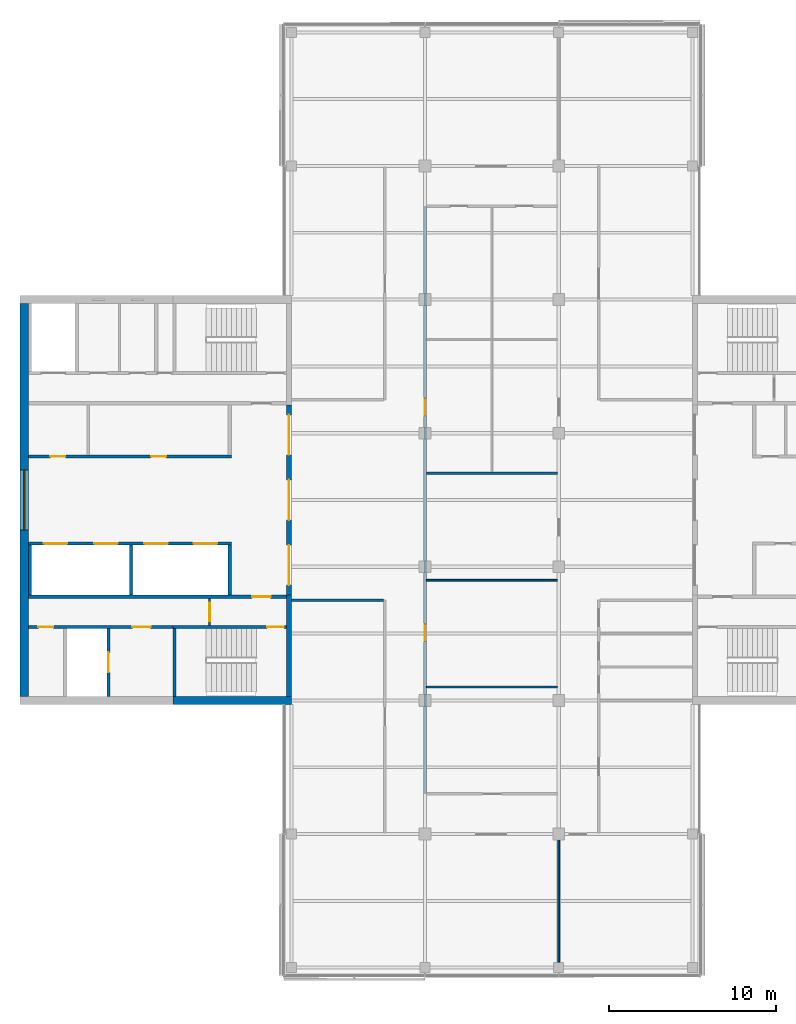
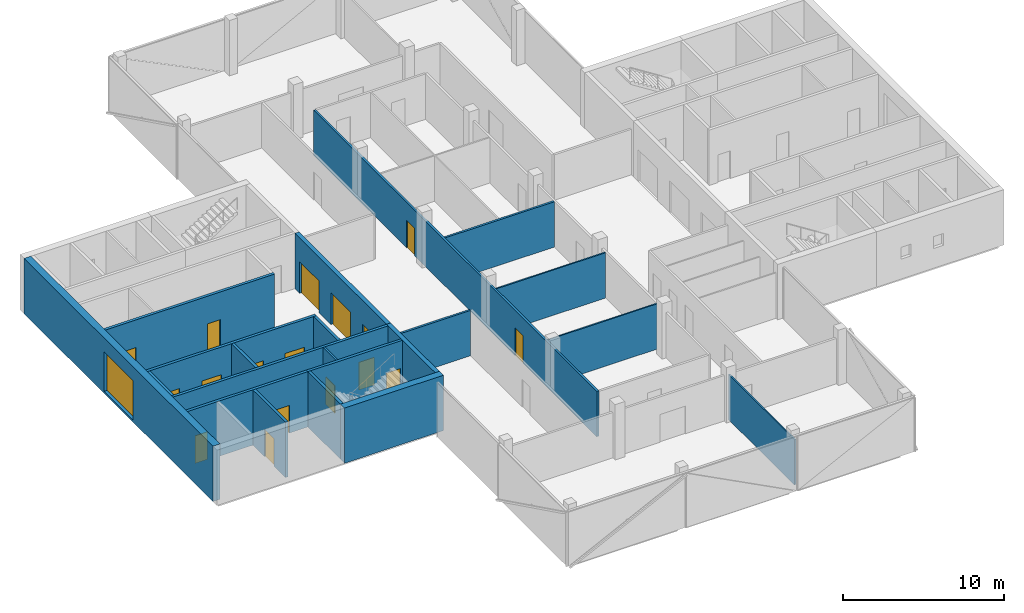
# One storey, part 9 of 15: 21 walls, 17 doors, 1 window, 18 openings.
"""IFC4 building model written with IfcOpenShell, lengths in metres."""

from ifc_helpers import new_model, si_unit, direction, frame, frame_2d, origin, place, context, subcontext, project, spatial, rectangle, extrude, material, layer, layer_set, constituent, constituent_set, type_object, element, fill, save


model = new_model("IFC4")

# Units and contexts
model_context = context("Model", 3, precision=1e-05, world=origin(), true_north=direction((0.0, 1.0)))
body_context = subcontext(model_context, "Body", "Model", "MODEL_VIEW")
ifc_project = project(units=[si_unit("LENGTHUNIT", "METRE"), si_unit("AREAUNIT", "SQUARE_METRE"), si_unit("VOLUMEUNIT", "CUBIC_METRE"), si_unit("PLANEANGLEUNIT", "RADIAN"), si_unit("MASSUNIT", "GRAM", prefix="KILO")], contexts=[model_context])

# Site, building, storey
site_placement = place(None, origin())
site = spatial("IfcSite", under=ifc_project, at=site_placement, CompositionType="ELEMENT")
building_placement = place(site_placement, origin())
building = spatial("IfcBuilding", under=site, at=building_placement, Name="Crosswind Convention Tower", CompositionType="ELEMENT")
storey_placement = place(building_placement, frame((0.0, 0.0, 266.10009765625)))
storey = spatial("IfcBuildingStorey", under=building, at=storey_placement, Name="L57", CompositionType="ELEMENT", Elevation=266.10009765625)

# Wall, openings, doors
ifc_material_1 = material(Name="Concrete C50/60", Category="concrete")
ifc_layer_1 = layer(ifc_material_1, 0.300048828125)
ifc_layer_set_1 = layer_set([ifc_layer_1], Name="Concrete C50/60")
wall_type_1 = type_object("IfcWallType", Name="Concrete inner core wall 300", PredefinedType="SHEAR", material=ifc_layer_set_1)
wall_1_placement = place(storey_placement, frame((112.85009765625, 105.699951171875, 0.0), z_axis=(0.0, 0.0, 1.0), x_axis=(0.0, -1.0, 0.0)))
wall_1 = element("IfcWall", 1, at=wall_1_placement, inside=storey, type_object=wall_type_1, Name="Wall SCR W L57", PredefinedType="SHEAR", context=body_context, shape_type="SweptSolid", body=[
    extrude(rectangle(XDim=11.39990234375, YDim=0.300048828125, at=frame_2d((5.699951171875, 0.0))), origin(), (0.0, 0.0, 1.0), 4.199951171875),
])
opening_1_placement = place(wall_1_placement, frame((0.60009765625, 0.0, 0.0)))
opening_1 = element("IfcOpeningElement", 2, at=opening_1_placement, cuts=wall_1, Name="Opening D100", PredefinedType="OPENING", context=body_context, shape_type="SweptSolid", body=[
    extrude(rectangle(XDim=2.39990234375, YDim=2.39990234375, at=frame_2d((1.199951171875, 1.199951171875))), frame((0.0, 0.159912109375, 0.0), z_axis=(0.0, -1.0, 0.0), x_axis=(1.0, 0.0, 0.0)), (0.0, 0.0, 1.0), 0.320068359375),
])
opening_2_placement = place(wall_1_placement, frame((4.5, 0.0, 0.0)))
opening_2 = element("IfcOpeningElement", 3, at=opening_2_placement, cuts=wall_1, Name="Opening D100", PredefinedType="OPENING", context=body_context, shape_type="SweptSolid", body=[
    extrude(rectangle(XDim=2.39990234375, YDim=2.39990234375, at=frame_2d((1.199951171875, 1.199951171875))), frame((0.0, 0.159912109375, 0.0), z_axis=(0.0, -1.0, 0.0), x_axis=(1.0, 0.0, 0.0)), (0.0, 0.0, 1.0), 0.320068359375),
])
opening_3_placement = place(wall_1_placement, frame((8.39990234375, 0.0, 0.0)))
opening_3 = element("IfcOpeningElement", 4, at=opening_3_placement, cuts=wall_1, Name="Opening D100", PredefinedType="OPENING", context=body_context, shape_type="SweptSolid", body=[
    extrude(rectangle(XDim=2.39990234375, YDim=2.39990234375, at=frame_2d((1.199951171875, 1.199951171875))), frame((0.0, 0.159912109375, 0.0), z_axis=(0.0, -1.0, 0.0), x_axis=(1.0, 0.0, 0.0)), (0.0, 0.0, 1.0), 0.320068359375),
])
ifc_material_2 = material(Name="Steel fire door with glazed vision panels", Category="steel")
door_type_1 = type_object("IfcDoorType", Name="Fire-rated double door 2400x2400", OperationType="DOUBLE_DOOR_SINGLE_SWING", PredefinedType="DOOR", material=ifc_material_2)
door_1_placement = place(opening_1_placement, origin())
door_1 = element("IfcDoor", 5, at=door_1_placement, inside=storey, type_object=door_type_1, Name="Lobby door 1 L57", ObjectType="D100", OperationType="DOUBLE_DOOR_SINGLE_SWING", OverallHeight=2.39990234375, OverallWidth=2.39990234375, PredefinedType="DOOR", context=body_context, shape_type="SweptSolid", body=[
    extrude(rectangle(XDim=2.39990234375, YDim=2.39990234375, at=frame_2d((1.199951171875, 1.199951171875))), frame((0.0, 0.02490234375, 0.0), z_axis=(0.0, -1.0, 0.0), x_axis=(1.0, 0.0, 0.0)), (0.0, 0.0, 1.0), 0.050048828125),
])
fill(opening_1, door_1)
door_2_placement = place(opening_2_placement, origin())
door_2 = element("IfcDoor", 6, at=door_2_placement, inside=storey, type_object=door_type_1, Name="Lobby door 2 L57", ObjectType="D100", OperationType="DOUBLE_DOOR_SINGLE_SWING", OverallHeight=2.39990234375, OverallWidth=2.39990234375, PredefinedType="DOOR", context=body_context, shape_type="SweptSolid", body=[
    extrude(rectangle(XDim=2.39990234375, YDim=2.39990234375, at=frame_2d((1.199951171875, 1.199951171875))), frame((0.0, 0.02490234375, 0.0), z_axis=(0.0, -1.0, 0.0), x_axis=(1.0, 0.0, 0.0)), (0.0, 0.0, 1.0), 0.050048828125),
])
fill(opening_2, door_2)
door_3_placement = place(opening_3_placement, origin())
door_3 = element("IfcDoor", 7, at=door_3_placement, inside=storey, type_object=door_type_1, Name="Lobby door 3 L57", ObjectType="D100", OperationType="DOUBLE_DOOR_SINGLE_SWING", OverallHeight=2.39990234375, OverallWidth=2.39990234375, PredefinedType="DOOR", context=body_context, shape_type="SweptSolid", body=[
    extrude(rectangle(XDim=2.39990234375, YDim=2.39990234375, at=frame_2d((1.199951171875, 1.199951171875))), frame((0.0, 0.02490234375, 0.0), z_axis=(0.0, -1.0, 0.0), x_axis=(1.0, 0.0, 0.0)), (0.0, 0.0, 1.0), 0.050048828125),
])
fill(opening_3, door_3)

# Walls
wall_2_placement = place(storey_placement, frame((112.85009765625, 94.300048828125, 0.0), z_axis=(0.0, 0.0, 1.0), x_axis=(0.0, -1.0, 0.0)))
element("IfcWall", 8, at=wall_2_placement, inside=storey, type_object=wall_type_1, Name="Wall EP W L57", PredefinedType="SHEAR", context=body_context, shape_type="SweptSolid", body=[
    extrude(rectangle(XDim=6.050048828125, YDim=0.300048828125, at=frame_2d((3.02490234375, 0.0))), origin(), (0.0, 0.0, 1.0), 4.199951171875),
])
ifc_layer_2 = layer(ifc_material_1, 0.199951171875)
ifc_layer_set_2 = layer_set([ifc_layer_2], Name="Concrete C50/60")
wall_type_2 = type_object("IfcWallType", Name="Concrete shaft and stair wall 200", PredefinedType="SHEAR", material=ifc_layer_set_2)
for number, where, z_axis, x_axis, name in (
    (9, (109.300048828125, 97.300048828125, 0.0), (0.0, 0.0, 1.0), (0.0, -1.0, 0.0), "Wall RPEND W L57"),
    (10, (103.39990234375, 97.300048828125, 0.0), (0.0, 0.0, 1.0), (0.0, -1.0, 0.0), "Wall RPSEP W L57"),
    (11, (97.35009765625, 97.300048828125, 0.0), (0.0, 0.0, 1.0), (0.0, -1.0, 0.0), "Wall RPEAST W L57"),
):
    element("IfcWall", number, at=place(storey_placement, frame(where, z_axis=z_axis, x_axis=x_axis)), inside=storey, type_object=wall_type_2, Name=name, PredefinedType="SHEAR", context=body_context, shape_type="SweptSolid", body=[
        extrude(rectangle(XDim=3.0, YDim=0.199951171875, at=frame_2d((1.5, 0.0))), origin(), (0.0, 0.0, 1.0), 4.199951171875),
    ])

# Wall, openings, doors
wall_3_placement = place(storey_placement, frame((109.39990234375, 97.39990234375, 0.0), z_axis=(0.0, 0.0, 1.0), x_axis=(-1.0, 0.0, 0.0)))
wall_3 = element("IfcWall", 12, at=wall_3_placement, inside=storey, type_object=wall_type_2, Name="Wall RPFRONT W L57", PredefinedType="SHEAR", context=body_context, shape_type="SweptSolid", body=[
    extrude(rectangle(XDim=12.14990234375, YDim=0.199951171875, at=frame_2d((6.074951171875, 0.0))), origin(), (0.0, 0.0, 1.0), 4.199951171875),
])
opening_4_placement = place(wall_3_placement, frame((0.85009765625, 0.0, 0.0)))
opening_4 = element("IfcOpeningElement", 13, at=opening_4_placement, cuts=wall_3, Name="Opening LD2", PredefinedType="OPENING", context=body_context, shape_type="SweptSolid", body=[
    extrude(rectangle(XDim=1.39990234375, YDim=2.10009765625, at=frame_2d((0.699951171875, 1.050048828125))), frame((0.0, 0.10986328125, 0.0), z_axis=(0.0, -1.0, 0.0), x_axis=(1.0, 0.0, 0.0)), (0.0, 0.0, 1.0), 0.219970703125),
])
opening_5_placement = place(wall_3_placement, frame((3.800048828125, 0.0, 0.0)))
opening_5 = element("IfcOpeningElement", 14, at=opening_5_placement, cuts=wall_3, Name="Opening LD2", PredefinedType="OPENING", context=body_context, shape_type="SweptSolid", body=[
    extrude(rectangle(XDim=1.39990234375, YDim=2.10009765625, at=frame_2d((0.699951171875, 1.050048828125))), frame((0.0, 0.10986328125, 0.0), z_axis=(0.0, -1.0, 0.0), x_axis=(1.0, 0.0, 0.0)), (0.0, 0.0, 1.0), 0.219970703125),
])
opening_6_placement = place(wall_3_placement, frame((6.800048828125, 0.0, 0.0)))
opening_6 = element("IfcOpeningElement", 15, at=opening_6_placement, cuts=wall_3, Name="Opening LD2", PredefinedType="OPENING", context=body_context, shape_type="SweptSolid", body=[
    extrude(rectangle(XDim=1.39990234375, YDim=2.10009765625, at=frame_2d((0.699951171875, 1.050048828125))), frame((0.0, 0.10986328125, 0.0), z_axis=(0.0, -1.0, 0.0), x_axis=(1.0, 0.0, 0.0)), (0.0, 0.0, 1.0), 0.219970703125),
])
opening_7_placement = place(wall_3_placement, frame((9.824951171875, 0.0, 0.0)))
opening_7 = element("IfcOpeningElement", 16, at=opening_7_placement, cuts=wall_3, Name="Opening LD2", PredefinedType="OPENING", context=body_context, shape_type="SweptSolid", body=[
    extrude(rectangle(XDim=1.39990234375, YDim=2.10009765625, at=frame_2d((0.699951171875, 1.050048828125))), frame((0.0, 0.10986328125, 0.0), z_axis=(0.0, -1.0, 0.0), x_axis=(1.0, 0.0, 0.0)), (0.0, 0.0, 1.0), 0.219970703125),
])
ifc_material_3 = material(Name="Stainless steel", Category="steel")
door_type_2 = type_object("IfcDoorType", Name="Lift landing door 1400x2100", OperationType="DOUBLE_DOOR_SLIDING", PredefinedType="DOOR", material=ifc_material_3)
door_4_placement = place(opening_4_placement, origin())
door_4 = element("IfcDoor", 17, at=door_4_placement, inside=storey, type_object=door_type_2, Name="Landing door HR1 L57", ObjectType="LD2", OperationType="DOUBLE_DOOR_SLIDING", OverallHeight=2.10009765625, OverallWidth=1.39990234375, PredefinedType="DOOR", context=body_context, shape_type="SweptSolid", body=[
    extrude(rectangle(XDim=1.39990234375, YDim=2.10009765625, at=frame_2d((0.699951171875, 1.050048828125))), frame((0.0, 0.02490234375, 0.0), z_axis=(0.0, -1.0, 0.0), x_axis=(1.0, 0.0, 0.0)), (0.0, 0.0, 1.0), 0.050048828125),
])
fill(opening_4, door_4)
door_5_placement = place(opening_5_placement, origin())
door_5 = element("IfcDoor", 18, at=door_5_placement, inside=storey, type_object=door_type_2, Name="Landing door HR2 L57", ObjectType="LD2", OperationType="DOUBLE_DOOR_SLIDING", OverallHeight=2.10009765625, OverallWidth=1.39990234375, PredefinedType="DOOR", context=body_context, shape_type="SweptSolid", body=[
    extrude(rectangle(XDim=1.39990234375, YDim=2.10009765625, at=frame_2d((0.699951171875, 1.050048828125))), frame((0.0, 0.02490234375, 0.0), z_axis=(0.0, -1.0, 0.0), x_axis=(1.0, 0.0, 0.0)), (0.0, 0.0, 1.0), 0.050048828125),
])
fill(opening_5, door_5)
door_6_placement = place(opening_6_placement, origin())
door_6 = element("IfcDoor", 19, at=door_6_placement, inside=storey, type_object=door_type_2, Name="Landing door HR3 L57", ObjectType="LD2", OperationType="DOUBLE_DOOR_SLIDING", OverallHeight=2.10009765625, OverallWidth=1.39990234375, PredefinedType="DOOR", context=body_context, shape_type="SweptSolid", body=[
    extrude(rectangle(XDim=1.39990234375, YDim=2.10009765625, at=frame_2d((0.699951171875, 1.050048828125))), frame((0.0, 0.02490234375, 0.0), z_axis=(0.0, -1.0, 0.0), x_axis=(1.0, 0.0, 0.0)), (0.0, 0.0, 1.0), 0.050048828125),
])
fill(opening_6, door_6)
door_7_placement = place(opening_7_placement, origin())
door_7 = element("IfcDoor", 20, at=door_7_placement, inside=storey, type_object=door_type_2, Name="Landing door HR4 L57", ObjectType="LD2", OperationType="DOUBLE_DOOR_SLIDING", OverallHeight=2.10009765625, OverallWidth=1.39990234375, PredefinedType="DOOR", context=body_context, shape_type="SweptSolid", body=[
    extrude(rectangle(XDim=1.39990234375, YDim=2.10009765625, at=frame_2d((0.699951171875, 1.050048828125))), frame((0.0, 0.02490234375, 0.0), z_axis=(0.0, -1.0, 0.0), x_axis=(1.0, 0.0, 0.0)), (0.0, 0.0, 1.0), 0.050048828125),
])
fill(opening_7, door_7)

wall_4_placement = place(storey_placement, frame((109.39990234375, 102.60009765625, 0.0), z_axis=(0.0, 0.0, 1.0), x_axis=(-1.0, 0.0, 0.0)))
wall_4 = element("IfcWall", 21, at=wall_4_placement, inside=storey, type_object=wall_type_2, Name="Wall RMFRONT W L57", PredefinedType="SHEAR", context=body_context, shape_type="SweptSolid", body=[
    extrude(rectangle(XDim=12.14990234375, YDim=0.199951171875, at=frame_2d((6.074951171875, 0.0))), origin(), (0.0, 0.0, 1.0), 4.199951171875),
])
opening_8_placement = place(wall_4_placement, frame((3.9013671875, 0.0, 0.0)))
opening_8 = element("IfcOpeningElement", 22, at=opening_8_placement, cuts=wall_4, Name="Opening D106", PredefinedType="OPENING", context=body_context, shape_type="SweptSolid", body=[
    extrude(rectangle(XDim=0.89990234375, YDim=2.10009765625, at=frame_2d((0.449951171875, 1.050048828125))), frame((0.0, 0.10986328125, 0.0), z_axis=(0.0, -1.0, 0.0), x_axis=(1.0, 0.0, 0.0)), (0.0, 0.0, 1.0), 0.219970703125),
])
opening_9_placement = place(wall_4_placement, frame((9.938720703125, 0.0, 0.0)))
opening_9 = element("IfcOpeningElement", 23, at=opening_9_placement, cuts=wall_4, Name="Opening D106", PredefinedType="OPENING", context=body_context, shape_type="SweptSolid", body=[
    extrude(rectangle(XDim=0.89990234375, YDim=2.10009765625, at=frame_2d((0.449951171875, 1.050048828125))), frame((0.0, 0.10986328125, 0.0), z_axis=(0.0, -1.0, 0.0), x_axis=(1.0, 0.0, 0.0)), (0.0, 0.0, 1.0), 0.219970703125),
])
ifc_material_4 = material(Name="Timber door", Category="wood")
door_type_3 = type_object("IfcDoorType", Name="Single leaf door 900x2100", OperationType="NOTDEFINED", PredefinedType="DOOR", material=ifc_material_4)
door_8_placement = place(opening_8_placement, frame((0.89990234375, 0.0, 0.0), z_axis=(0.0, 0.0, 1.0), x_axis=(-1.0, 0.0, 0.0)))
door_8 = element("IfcDoor", 24, at=door_8_placement, inside=storey, type_object=door_type_3, Name="Door to pantry L57", ObjectType="D106", OperationType="SINGLE_SWING_LEFT", OverallHeight=2.10009765625, OverallWidth=0.89990234375, PredefinedType="DOOR", context=body_context, shape_type="SweptSolid", body=[
    extrude(rectangle(XDim=0.89990234375, YDim=2.10009765625, at=frame_2d((0.449951171875, 1.050048828125))), frame((0.0, 0.02490234375, 0.0), z_axis=(0.0, -1.0, 0.0), x_axis=(1.0, 0.0, 0.0)), (0.0, 0.0, 1.0), 0.050048828125),
])
fill(opening_8, door_8)
door_9_placement = place(opening_9_placement, frame((0.89990234375, 0.0, 0.0), z_axis=(0.0, 0.0, 1.0), x_axis=(-1.0, 0.0, 0.0)))
door_9 = element("IfcDoor", 25, at=door_9_placement, inside=storey, type_object=door_type_3, Name="Door to telecoms room L57", ObjectType="D106", OperationType="SINGLE_SWING_LEFT", OverallHeight=2.10009765625, OverallWidth=0.89990234375, PredefinedType="DOOR", context=body_context, shape_type="SweptSolid", body=[
    extrude(rectangle(XDim=0.89990234375, YDim=2.10009765625, at=frame_2d((0.449951171875, 1.050048828125))), frame((0.0, 0.02490234375, 0.0), z_axis=(0.0, -1.0, 0.0), x_axis=(1.0, 0.0, 0.0)), (0.0, 0.0, 1.0), 0.050048828125),
])
fill(opening_9, door_9)

# Wall, opening, door
wall_5_placement = place(storey_placement, frame((112.699951171875, 94.199951171875, 0.0), z_axis=(0.0, 0.0, 1.0), x_axis=(-1.0, 0.0, 0.0)))
wall_5 = element("IfcWall", 26, at=wall_5_placement, inside=storey, type_object=wall_type_2, Name="Wall HP W L57", PredefinedType="SHEAR", context=body_context, shape_type="SweptSolid", body=[
    extrude(rectangle(XDim=15.449951171875, YDim=0.199951171875, at=frame_2d((7.72509765625, 0.0))), origin(), (0.0, 0.0, 1.0), 4.199951171875),
])
opening_10_placement = place(wall_5_placement, frame((0.949951171875, 0.0, 0.0)))
opening_10 = element("IfcOpeningElement", 27, at=opening_10_placement, cuts=wall_5, Name="Opening D104", PredefinedType="OPENING", context=body_context, shape_type="SweptSolid", body=[
    extrude(rectangle(XDim=1.10009765625, YDim=2.10009765625, at=frame_2d((0.550048828125, 1.050048828125))), frame((0.0, 0.10986328125, 0.0), z_axis=(0.0, -1.0, 0.0), x_axis=(1.0, 0.0, 0.0)), (0.0, 0.0, 1.0), 0.219970703125),
])
ifc_material_5 = material(Name="Steel fire door", Category="steel")
door_type_4 = type_object("IfcDoorType", Name="Fire-rated single door 1100x2100", OperationType="NOTDEFINED", PredefinedType="DOOR", material=ifc_material_5)
door_10_placement = place(opening_10_placement, origin())
door_10 = element("IfcDoor", 28, at=door_10_placement, inside=storey, type_object=door_type_4, Name="Corridor door L57", ObjectType="D104", OperationType="SINGLE_SWING_LEFT", OverallHeight=2.10009765625, OverallWidth=1.10009765625, PredefinedType="DOOR", context=body_context, shape_type="SweptSolid", body=[
    extrude(rectangle(XDim=1.10009765625, YDim=2.10009765625, at=frame_2d((0.550048828125, 1.050048828125))), frame((0.0, 0.02490234375, 0.0), z_axis=(0.0, -1.0, 0.0), x_axis=(1.0, 0.0, 0.0)), (0.0, 0.0, 1.0), 0.050048828125),
])
fill(opening_10, door_10)

# Wall
wall_6_placement = place(storey_placement, frame((106.0, 92.300048828125, 0.0), z_axis=(0.0, 0.0, 1.0), x_axis=(0.0, -1.0, 0.0)))
element("IfcWall", 29, at=wall_6_placement, inside=storey, type_object=wall_type_2, Name="Wall PSE W L57", PredefinedType="SHEAR", context=body_context, shape_type="SweptSolid", body=[
    extrude(rectangle(XDim=4.050048828125, YDim=0.199951171875, at=frame_2d((2.02490234375, 0.0))), origin(), (0.0, 0.0, 1.0), 4.199951171875),
])

# Wall, opening, door
wall_7_placement = place(storey_placement, frame((102.050048828125, 92.300048828125, 0.0), z_axis=(0.0, 0.0, 1.0), x_axis=(0.0, -1.0, 0.0)))
wall_7 = element("IfcWall", 30, at=wall_7_placement, inside=storey, type_object=wall_type_2, Name="Wall PFLW W L57", PredefinedType="SHEAR", context=body_context, shape_type="SweptSolid", body=[
    extrude(rectangle(XDim=4.050048828125, YDim=0.199951171875, at=frame_2d((2.02490234375, 0.0))), origin(), (0.0, 0.0, 1.0), 4.199951171875),
])
opening_11_placement = place(wall_7_placement, frame((1.425048828125, 0.0, 0.0)))
opening_11 = element("IfcOpeningElement", 31, at=opening_11_placement, cuts=wall_7, Name="Opening LD1", PredefinedType="OPENING", context=body_context, shape_type="SweptSolid", body=[
    extrude(rectangle(XDim=1.199951171875, YDim=2.10009765625, at=frame_2d((0.60009765625, 1.050048828125))), frame((0.0, 0.10986328125, 0.0), z_axis=(0.0, -1.0, 0.0), x_axis=(1.0, 0.0, 0.0)), (0.0, 0.0, 1.0), 0.219970703125),
])
door_type_5 = type_object("IfcDoorType", Name="Lift landing door 1200x2100", OperationType="DOUBLE_DOOR_SLIDING", PredefinedType="DOOR", material=ifc_material_3)
door_11_placement = place(opening_11_placement, origin())
door_11 = element("IfcDoor", 32, at=door_11_placement, inside=storey, type_object=door_type_5, Name="Landing door FF2 L57", ObjectType="LD1", OperationType="DOUBLE_DOOR_SLIDING", OverallHeight=2.10009765625, OverallWidth=1.199951171875, PredefinedType="DOOR", context=body_context, shape_type="SweptSolid", body=[
    extrude(rectangle(XDim=1.199951171875, YDim=2.10009765625, at=frame_2d((0.60009765625, 1.050048828125))), frame((0.0, 0.02490234375, 0.0), z_axis=(0.0, -1.0, 0.0), x_axis=(1.0, 0.0, 0.0)), (0.0, 0.0, 1.0), 0.050048828125),
])
fill(opening_11, door_11)

wall_8_placement = place(storey_placement, frame((112.699951171875, 92.39990234375, 0.0), z_axis=(0.0, 0.0, 1.0), x_axis=(-1.0, 0.0, 0.0)))
wall_8 = element("IfcWall", 33, at=wall_8_placement, inside=storey, type_object=wall_type_2, Name="Wall PCW W L57", PredefinedType="SHEAR", context=body_context, shape_type="SweptSolid", body=[
    extrude(rectangle(XDim=6.800048828125, YDim=0.199951171875, at=frame_2d((3.39990234375, 0.0))), origin(), (0.0, 0.0, 1.0), 4.199951171875),
])
opening_12_placement = place(wall_8_placement, frame((0.14990234375, 0.0, 0.0)))
opening_12 = element("IfcOpeningElement", 34, at=opening_12_placement, cuts=wall_8, Name="Opening D103", PredefinedType="OPENING", context=body_context, shape_type="SweptSolid", body=[
    extrude(rectangle(XDim=1.0, YDim=2.10009765625, at=frame_2d((0.5, 1.050048828125))), frame((0.0, 0.10986328125, 0.0), z_axis=(0.0, -1.0, 0.0), x_axis=(1.0, 0.0, 0.0)), (0.0, 0.0, 1.0), 0.219970703125),
])
door_type_6 = type_object("IfcDoorType", Name="Fire-rated single door 1000x2100", OperationType="NOTDEFINED", PredefinedType="DOOR", material=ifc_material_5)
door_12_placement = place(opening_12_placement, origin())
door_12 = element("IfcDoor", 35, at=door_12_placement, inside=storey, type_object=door_type_6, Name="Stair ST3 door L57", ObjectType="D103", OperationType="SINGLE_SWING_LEFT", OverallHeight=2.10009765625, OverallWidth=1.0, PredefinedType="DOOR", context=body_context, shape_type="SweptSolid", body=[
    extrude(rectangle(XDim=1.0, YDim=2.10009765625, at=frame_2d((0.5, 1.050048828125))), frame((0.0, 0.02490234375, 0.0), z_axis=(0.0, -1.0, 0.0), x_axis=(1.0, 0.0, 0.0)), (0.0, 0.0, 1.0), 0.050048828125),
])
fill(opening_12, door_12)

# Wall, openings, doors
wall_9_placement = place(storey_placement, frame((105.89990234375, 92.39990234375, 0.0), z_axis=(0.0, 0.0, 1.0), x_axis=(-1.0, 0.0, 0.0)))
wall_9 = element("IfcWall", 36, at=wall_9_placement, inside=storey, type_object=wall_type_2, Name="Wall PCX W L57", PredefinedType="SHEAR", context=body_context, shape_type="SweptSolid", body=[
    extrude(rectangle(XDim=8.64990234375, YDim=0.199951171875, at=frame_2d((4.324951171875, 0.0))), origin(), (0.0, 0.0, 1.0), 4.199951171875),
])
opening_13_placement = place(wall_9_placement, frame((1.324951171875, 0.0, 0.0)))
opening_13 = element("IfcOpeningElement", 37, at=opening_13_placement, cuts=wall_9, Name="Opening D104", PredefinedType="OPENING", context=body_context, shape_type="SweptSolid", body=[
    extrude(rectangle(XDim=1.10009765625, YDim=2.10009765625, at=frame_2d((0.550048828125, 1.050048828125))), frame((0.0, 0.10986328125, 0.0), z_axis=(0.0, -1.0, 0.0), x_axis=(1.0, 0.0, 0.0)), (0.0, 0.0, 1.0), 0.219970703125),
])
opening_14_placement = place(wall_9_placement, frame((7.14990234375, 0.0, 0.0)))
opening_14 = element("IfcOpeningElement", 38, at=opening_14_placement, cuts=wall_9, Name="Opening D106", PredefinedType="OPENING", context=body_context, shape_type="SweptSolid", body=[
    extrude(rectangle(XDim=0.89990234375, YDim=2.10009765625, at=frame_2d((0.449951171875, 1.050048828125))), frame((0.0, 0.10986328125, 0.0), z_axis=(0.0, -1.0, 0.0), x_axis=(1.0, 0.0, 0.0)), (0.0, 0.0, 1.0), 0.219970703125),
])
door_13_placement = place(opening_13_placement, origin())
door_13 = element("IfcDoor", 39, at=door_13_placement, inside=storey, type_object=door_type_4, Name="Fire-fighting lobby FF2 door L57", ObjectType="D104", OperationType="SINGLE_SWING_RIGHT", OverallHeight=2.10009765625, OverallWidth=1.10009765625, PredefinedType="DOOR", context=body_context, shape_type="SweptSolid", body=[
    extrude(rectangle(XDim=1.10009765625, YDim=2.10009765625, at=frame_2d((0.550048828125, 1.050048828125))), frame((0.0, 0.02490234375, 0.0), z_axis=(0.0, -1.0, 0.0), x_axis=(1.0, 0.0, 0.0)), (0.0, 0.0, 1.0), 0.050048828125),
])
fill(opening_13, door_13)
door_14_placement = place(opening_14_placement, origin())
door_14 = element("IfcDoor", 40, at=door_14_placement, inside=storey, type_object=door_type_3, Name="Door to cleaners' store L57", ObjectType="D106", OperationType="SINGLE_SWING_RIGHT", OverallHeight=2.10009765625, OverallWidth=0.89990234375, PredefinedType="DOOR", context=body_context, shape_type="SweptSolid", body=[
    extrude(rectangle(XDim=0.89990234375, YDim=2.10009765625, at=frame_2d((0.449951171875, 1.050048828125))), frame((0.0, 0.02490234375, 0.0), z_axis=(0.0, -1.0, 0.0), x_axis=(1.0, 0.0, 0.0)), (0.0, 0.0, 1.0), 0.050048828125),
])
fill(opening_14, door_14)

# Wall, opening, door
ifc_material_6 = material(Name="Gypsum plasterboard partition", Category="gypsum")
ifc_layer_3 = layer(ifc_material_6, 0.125)
ifc_layer_set_3 = layer_set([ifc_layer_3], Name="Drywall partition wall 125")
wall_type_3 = type_object("IfcWallType", Name="Drywall partition wall 125", PredefinedType="PARTITIONING", material=ifc_layer_set_3)
wall_10_placement = place(storey_placement, frame((108.10009765625, 94.10009765625, 0.0), z_axis=(0.0, 0.0, 1.0), x_axis=(0.0, -1.0, 0.0)))
wall_10 = element("IfcWall", 41, at=wall_10_placement, inside=storey, type_object=wall_type_3, Name="Wall PXC1 W L57", PredefinedType="PARTITIONING", context=body_context, shape_type="SweptSolid", body=[
    extrude(rectangle(XDim=1.60009765625, YDim=0.125, at=frame_2d((0.800048828125, 0.0))), origin(), (0.0, 0.0, 1.0), 4.199951171875),
])
opening_15_placement = place(wall_10_placement, frame((0.25, 0.0, 0.0)))
opening_15 = element("IfcOpeningElement", 42, at=opening_15_placement, cuts=wall_10, Name="Opening D104", PredefinedType="OPENING", context=body_context, shape_type="SweptSolid", body=[
    extrude(rectangle(XDim=1.10009765625, YDim=2.10009765625, at=frame_2d((0.550048828125, 1.050048828125))), frame((0.0, 0.072509765625, 0.0), z_axis=(0.0, -1.0, 0.0), x_axis=(1.0, 0.0, 0.0)), (0.0, 0.0, 1.0), 0.14501953125),
])
door_15_placement = place(opening_15_placement, origin())
door_15 = element("IfcDoor", 43, at=door_15_placement, inside=storey, type_object=door_type_4, Name="Corridor smoke door L57", ObjectType="D104", OperationType="SINGLE_SWING_RIGHT", OverallHeight=2.10009765625, OverallWidth=1.10009765625, PredefinedType="DOOR", context=body_context, shape_type="SweptSolid", body=[
    extrude(rectangle(XDim=1.10009765625, YDim=2.10009765625, at=frame_2d((0.550048828125, 1.050048828125))), frame((0.0, 0.02490234375, 0.0), z_axis=(0.0, -1.0, 0.0), x_axis=(1.0, 0.0, 0.0)), (0.0, 0.0, 1.0), 0.050048828125),
])
fill(opening_15, door_15)

# Walls
ifc_material_7 = material(Name="Plasterboard partition", Category="gypsum")
ifc_layer_4 = layer(ifc_material_7, 0.10009765625)
ifc_layer_set_4 = layer_set([ifc_layer_4], Name="PARTITION 100 METAL STUD")
wall_type_4 = type_object("IfcWallType", Name="PARTITION 100 METAL STUD", PredefinedType="PARTITIONING", material=ifc_layer_set_4)
wall_11_placement = place(storey_placement, frame((129.0, 71.72998046875, 0.0), z_axis=(0.0, 0.0, 1.0), x_axis=(0.0, 1.0, 0.0)))
element("IfcWall", 44, at=wall_11_placement, inside=storey, type_object=wall_type_4, Name="Partition wall WT40", PredefinedType="PARTITIONING", context=body_context, shape_type="SweptSolid", body=[
    extrude(rectangle(XDim=8.195068359375, YDim=0.10009765625, at=frame_2d((4.09765625, 0.0))), origin(), (0.0, 0.0, 1.0), 3.442626953125),
])
for number, where, z_axis, x_axis, name in (
    (45, (121.074951171875, 88.800048828125, 0.0), (0.0, 0.0, 1.0), (1.0, 0.0, 0.0), "Partition wall WT40"),
    (46, (121.074951171875, 95.199951171875, 0.0), (0.0, 0.0, 1.0), (1.0, 0.0, 0.0), "Partition wall WT40"),
):
    element("IfcWall", number, at=place(storey_placement, frame(where, z_axis=z_axis, x_axis=x_axis)), inside=storey, type_object=wall_type_4, Name=name, PredefinedType="PARTITIONING", context=body_context, shape_type="SweptSolid", body=[
        extrude(rectangle(XDim=7.85009765625, YDim=0.10009765625, at=frame_2d((3.925048828125, 0.0))), origin(), (0.0, 0.0, 1.0), 3.442626953125),
    ])

# Wall, openings, doors
ifc_material_8 = material(Name="Fire-board partition with mineral wool", Category="gypsum")
ifc_layer_5 = layer(ifc_material_8, 0.14990234375)
ifc_layer_set_5 = layer_set([ifc_layer_5], Name="TENANCY WALL 150 TWO-HOUR BOARD")
wall_type_5 = type_object("IfcWallType", Name="TENANCY WALL 150 TWO-HOUR BOARD", PredefinedType="PARTITIONING", material=ifc_layer_set_5)
wall_12_placement = place(storey_placement, frame((121.0, 82.39990234375, 0.0), z_axis=(0.0, 0.0, 1.0), x_axis=(0.0, 1.0, 0.0)))
wall_12 = element("IfcWall", 47, at=wall_12_placement, inside=storey, type_object=wall_type_5, Name="Tenancy wall WT41", PredefinedType="PARTITIONING", context=body_context, shape_type="SweptSolid", body=[
    extrude(rectangle(XDim=35.2001953125, YDim=0.14990234375, at=frame_2d((17.60009765625, 0.0))), origin(), (0.0, 0.0, 1.0), 3.442626953125),
])
opening_16_placement = place(wall_12_placement, frame((9.14990234375, 0.0, 0.0)))
opening_16 = element("IfcOpeningElement", 48, at=opening_16_placement, cuts=wall_12, Name="Opening L57-61", PredefinedType="OPENING", context=body_context, shape_type="SweptSolid", body=[
    extrude(rectangle(XDim=1.0, YDim=2.10009765625, at=frame_2d((0.5, 1.050048828125))), frame((0.0, 0.0849609375, 0.0), z_axis=(0.0, -1.0, 0.0), x_axis=(1.0, 0.0, 0.0)), (0.0, 0.0, 1.0), 0.169921875),
])
opening_17_placement = place(wall_12_placement, frame((22.64990234375, 0.0, 0.0)))
opening_17 = element("IfcOpeningElement", 49, at=opening_17_placement, cuts=wall_12, Name="Opening L57-63", PredefinedType="OPENING", context=body_context, shape_type="SweptSolid", body=[
    extrude(rectangle(XDim=1.0, YDim=2.10009765625, at=frame_2d((0.5, 1.050048828125))), frame((0.0, 0.0849609375, 0.0), z_axis=(0.0, -1.0, 0.0), x_axis=(1.0, 0.0, 0.0)), (0.0, 0.0, 1.0), 0.169921875),
])
ifc_material_9 = material(Name="Timber fire door", Category="wood")
door_type_7 = type_object("IfcDoorType", Name="TENANCY ENTRANCE DOOR 1000X2100 FD30S", OperationType="NOTDEFINED", PredefinedType="DOOR", material=ifc_material_9)
door_16_placement = place(opening_16_placement, origin())
door_16 = element("IfcDoor", 50, at=door_16_placement, inside=storey, type_object=door_type_7, Name="Door L57-61", ObjectType="D41", OperationType="SINGLE_SWING_RIGHT", OverallHeight=2.10009765625, OverallWidth=1.0, PredefinedType="DOOR", context=body_context, shape_type="SweptSolid", body=[
    extrude(rectangle(XDim=1.0, YDim=2.10009765625, at=frame_2d((0.5, 1.050048828125))), frame((0.0, 0.02490234375, 0.0), z_axis=(0.0, -1.0, 0.0), x_axis=(1.0, 0.0, 0.0)), (0.0, 0.0, 1.0), 0.050048828125),
])
fill(opening_16, door_16)
door_17_placement = place(opening_17_placement, frame((1.0, 0.0, 0.0), z_axis=(0.0, 0.0, 1.0), x_axis=(-1.0, 0.0, 0.0)))
door_17 = element("IfcDoor", 51, at=door_17_placement, inside=storey, type_object=door_type_7, Name="Door L57-63", ObjectType="D41", OperationType="SINGLE_SWING_RIGHT", OverallHeight=2.10009765625, OverallWidth=1.0, PredefinedType="DOOR", context=body_context, shape_type="SweptSolid", body=[
    extrude(rectangle(XDim=1.0, YDim=2.10009765625, at=frame_2d((0.5, 1.050048828125))), frame((0.0, 0.02490234375, 0.0), z_axis=(0.0, -1.0, 0.0), x_axis=(1.0, 0.0, 0.0)), (0.0, 0.0, 1.0), 0.050048828125),
])
fill(opening_17, door_17)

# Walls
wall_13_placement = place(storey_placement, frame((113.0, 94.0, 0.0), z_axis=(0.0, 0.0, 1.0), x_axis=(1.0, 0.0, 0.0)))
element("IfcWall", 52, at=wall_13_placement, inside=storey, type_object=wall_type_5, Name="Tenancy wall WT41", PredefinedType="PARTITIONING", context=body_context, shape_type="SweptSolid", body=[
    extrude(rectangle(XDim=5.52490234375, YDim=0.14990234375, at=frame_2d((2.762451171875, 0.0))), origin(), (0.0, 0.0, 1.0), 3.442626953125),
])
wall_14_placement = place(storey_placement, frame((121.074951171875, 101.60009765625, 0.0), z_axis=(0.0, 0.0, 1.0), x_axis=(1.0, 0.0, 0.0)))
element("IfcWall", 53, at=wall_14_placement, inside=storey, type_object=wall_type_5, Name="Tenancy wall WT41", PredefinedType="PARTITIONING", context=body_context, shape_type="SweptSolid", body=[
    extrude(rectangle(XDim=7.85009765625, YDim=0.14990234375, at=frame_2d((3.925048828125, 0.0))), origin(), (0.0, 0.0, 1.0), 3.442626953125),
])
ifc_material_10 = material(Name="Concrete C60/75", Category="concrete")
ifc_constituent_1 = constituent(ifc_material_10, Name="Structure")
ifc_material_11 = material(Name="Terracotta rainscreen", Category="ceramic")
ifc_constituent_2 = constituent(ifc_material_11, Name="Facing")
ifc_constituent_set = constituent_set(constituents=[ifc_constituent_1, ifc_constituent_2], Name="Concrete C60/75, Terracotta rainscreen")
wall_type_6 = type_object("IfcWallType", Name="Terracotta rainscreen on concrete core wall 500", PredefinedType="SHEAR", material=ifc_constituent_set)
wall_15_placement = place(storey_placement, frame((113.0, 88.0, 0.0), z_axis=(0.0, 0.0, 1.0), x_axis=(-1.0, 0.0, 0.0)))
element("IfcWall", 54, at=wall_15_placement, inside=storey, type_object=wall_type_6, Name="Wall N1 W L57", PredefinedType="SHEAR", context=body_context, shape_type="SweptSolid", body=[
    extrude(rectangle(XDim=7.10009765625, YDim=0.5, at=frame_2d((3.550048828125, 0.0))), origin(), (0.0, 0.0, 1.0), 4.199951171875),
])

# Wall, opening, window
wall_16_placement = place(storey_placement, frame((97.0, 111.75, 0.0), z_axis=(0.0, 0.0, 1.0), x_axis=(0.0, -1.0, 0.0)))
wall_16 = element("IfcWall", 55, at=wall_16_placement, inside=storey, type_object=wall_type_6, Name="Wall O W L57", PredefinedType="SHEAR", context=body_context, shape_type="SweptSolid", body=[
    extrude(rectangle(XDim=23.5, YDim=0.5, at=frame_2d((11.75, 0.0))), origin(), (0.0, 0.0, 1.0), 4.199951171875),
])
opening_18_placement = place(wall_16_placement, frame((9.949951171875, 0.0, 0.14990234375)))
opening_18 = element("IfcOpeningElement", 56, at=opening_18_placement, cuts=wall_16, Name="Opening W1", PredefinedType="OPENING", context=body_context, shape_type="SweptSolid", body=[
    extrude(rectangle(XDim=3.60009765625, YDim=3.0, at=frame_2d((1.800048828125, 1.5))), frame((0.0, 0.260009765625, 0.0), z_axis=(0.0, -1.0, 0.0), x_axis=(1.0, 0.0, 0.0)), (0.0, 0.0, 1.0), 0.52001953125),
])
ifc_material_12 = material(Name="Clear laminated glass in aluminium frame", Category="aluminium")
window_type = type_object("IfcWindowType", Name="Lobby end window 3600x3000", PartitioningType="SINGLE_PANEL", PredefinedType="WINDOW", material=ifc_material_12)
window_placement = place(opening_18_placement, origin())
window = element("IfcWindow", 57, at=window_placement, inside=storey, type_object=window_type, Name="Lobby end window L57", ObjectType="W1", OverallHeight=3.0, OverallWidth=3.60009765625, PartitioningType="SINGLE_PANEL", PredefinedType="WINDOW", context=body_context, shape_type="SweptSolid", body=[
    extrude(rectangle(XDim=3.60009765625, YDim=3.0, at=frame_2d((1.800048828125, 1.5))), frame((0.0, 0.030029296875, 0.0), z_axis=(0.0, -1.0, 0.0), x_axis=(1.0, 0.0, 0.0)), (0.0, 0.0, 1.0), 0.06005859375),
])
fill(opening_18, window)

save(model, "model.ifc")
